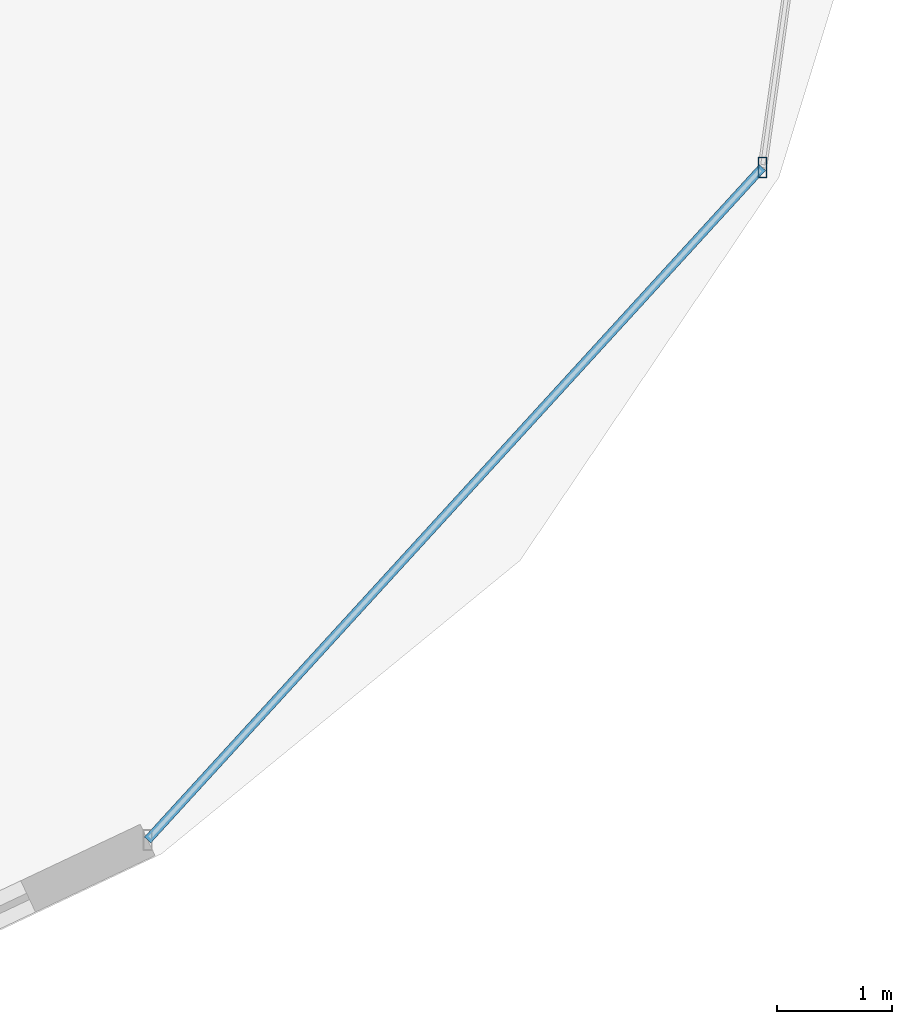
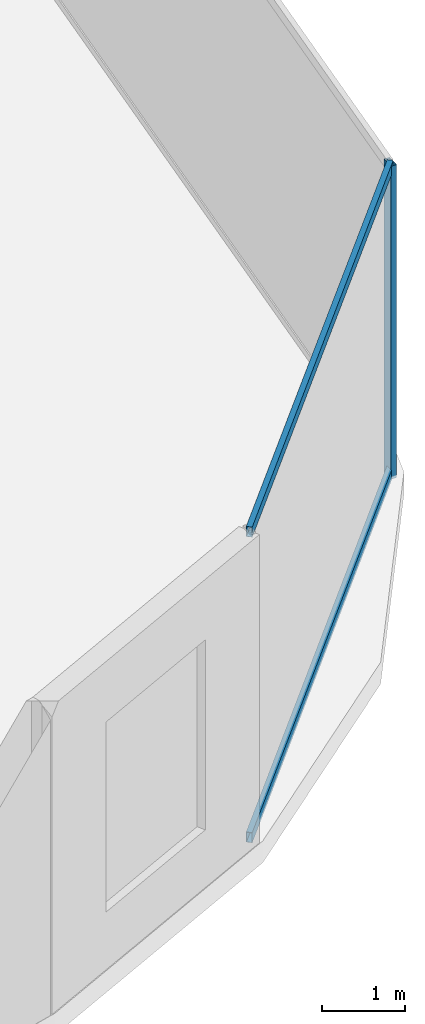
# One storey, part 22 of 32: 3 members, 1 element without a shape of its own.
"""IFC4 building model written with IfcOpenShell, lengths in metres."""

from ifc_helpers import new_model, si_unit, direction, frame, origin, origin_2d, place, context, subcontext, project, spatial, hollow_rectangle, extrude, material, material_profile, profile_set, type_object, element, aggregate, save


model = new_model("IFC4")

# Units and contexts
model_context = context("Model", 3, precision=1e-05, world=origin(), true_north=direction((0.0, 1.0)))
body_context = subcontext(model_context, "Body", "Model", "MODEL_VIEW")
ifc_project = project(units=[si_unit("LENGTHUNIT", "METRE"), si_unit("AREAUNIT", "SQUARE_METRE"), si_unit("VOLUMEUNIT", "CUBIC_METRE"), si_unit("PLANEANGLEUNIT", "RADIAN"), si_unit("MASSUNIT", "GRAM", prefix="KILO")], contexts=[model_context])

# Site, building, storey
site_placement = place(None, origin())
site = spatial("IfcSite", under=ifc_project, at=site_placement, CompositionType="ELEMENT")
building_placement = place(site_placement, origin())
building = spatial("IfcBuilding", under=site, at=building_placement, Name="Vorneva Point Tower", CompositionType="ELEMENT")
storey_placement = place(building_placement, frame((0.0, 0.0, 19.199951171875)))
storey = spatial("IfcBuildingStorey", under=building, at=storey_placement, Name="L04", CompositionType="ELEMENT", Elevation=19.199951171875)

# Curtain wall, members
ifc_material = material(Name="Pale anodised aluminium", Category="aluminium")
curtain_wall_type = type_object("IfcCurtainWallType", Name="CW-POD-SYS", PredefinedType="NOTDEFINED", material=ifc_material)
curtain_wall_placement = place(storey_placement, origin())
curtain_wall = element("IfcCurtainWall", 1, at=curtain_wall_placement, inside=storey, type_object=curtain_wall_type, Name="L04 Unitised Curtain Wall CW-L04-R01", PredefinedType="NOTDEFINED")
ifc_material_profile_1 = material_profile(ifc_material, hollow_rectangle(XDim=0.074951171875, YDim=0.179931640625, WallThickness=0.00390625, at=origin_2d()), Name="AL-MUL 180x75x4")
ifc_profile_set_1 = profile_set([ifc_material_profile_1], Name="Pale anodised aluminium")
member_type_1 = type_object("IfcMemberType", Name="CW-MUL-180", PredefinedType="MULLION", material=ifc_profile_set_1)
member_1_placement = place(storey_placement, frame((70.749755859375, 13.109130859375, -0.0400390625), z_axis=(0.0, 0.0, 1.0), x_axis=(1.0, 0.0, 0.0)))
member_1 = element("IfcMember", 2, at=member_1_placement, type_object=member_type_1, Name="CW-L04-R01 Mullion 02", PredefinedType="MULLION", context=body_context, shape_type="SweptSolid", body=[
    extrude(hollow_rectangle(XDim=0.074951171875, YDim=0.179931640625, WallThickness=0.00390625, at=origin_2d()), origin(), (0.0, 0.0, 1.0), 4.610107421875),
])
ifc_material_profile_2 = material_profile(ifc_material, hollow_rectangle(XDim=0.074951171875, YDim=0.14990234375, WallThickness=0.00390625, at=origin_2d()), Name="AL-TRN 150x75x4")
ifc_profile_set_2 = profile_set([ifc_material_profile_2], Name="Pale anodised aluminium")
member_type_2 = type_object("IfcMemberType", Name="CW-TRN-150", PredefinedType="USERDEFINED", material=ifc_profile_set_2)
member_2_placement = place(storey_placement, frame((65.418701171875, 7.278076171875, 0.02001953125), z_axis=(0.674755734316, 0.738041122843, 0.0), x_axis=(-0.738041122843, 0.674755734316, 0.0)))
member_2 = element("IfcMember", 3, at=member_2_placement, type_object=member_type_2, Name="CW-L04-R01 Transom 01.1", ObjectType="TRANSOM", PredefinedType="USERDEFINED", context=body_context, shape_type="SweptSolid", body=[
    extrude(hollow_rectangle(XDim=0.074951171875, YDim=0.14990234375, WallThickness=0.00390625, at=origin_2d()), origin(), (0.0, 0.0, 1.0), 7.900634765625),
])
member_3_placement = place(storey_placement, frame((65.418701171875, 7.278076171875, 4.52001953125), z_axis=(0.674755734316, 0.738041122843, 0.0), x_axis=(-0.738041122843, 0.674755734316, 0.0)))
member_3 = element("IfcMember", 4, at=member_3_placement, type_object=member_type_2, Name="CW-L04-R01 Transom 01.2", ObjectType="TRANSOM", PredefinedType="USERDEFINED", context=body_context, shape_type="SweptSolid", body=[
    extrude(hollow_rectangle(XDim=0.074951171875, YDim=0.14990234375, WallThickness=0.00390625, at=origin_2d()), origin(), (0.0, 0.0, 1.0), 7.900634765625),
])
aggregate(curtain_wall, [member_1, member_2, member_3])

save(model, "model.ifc")
